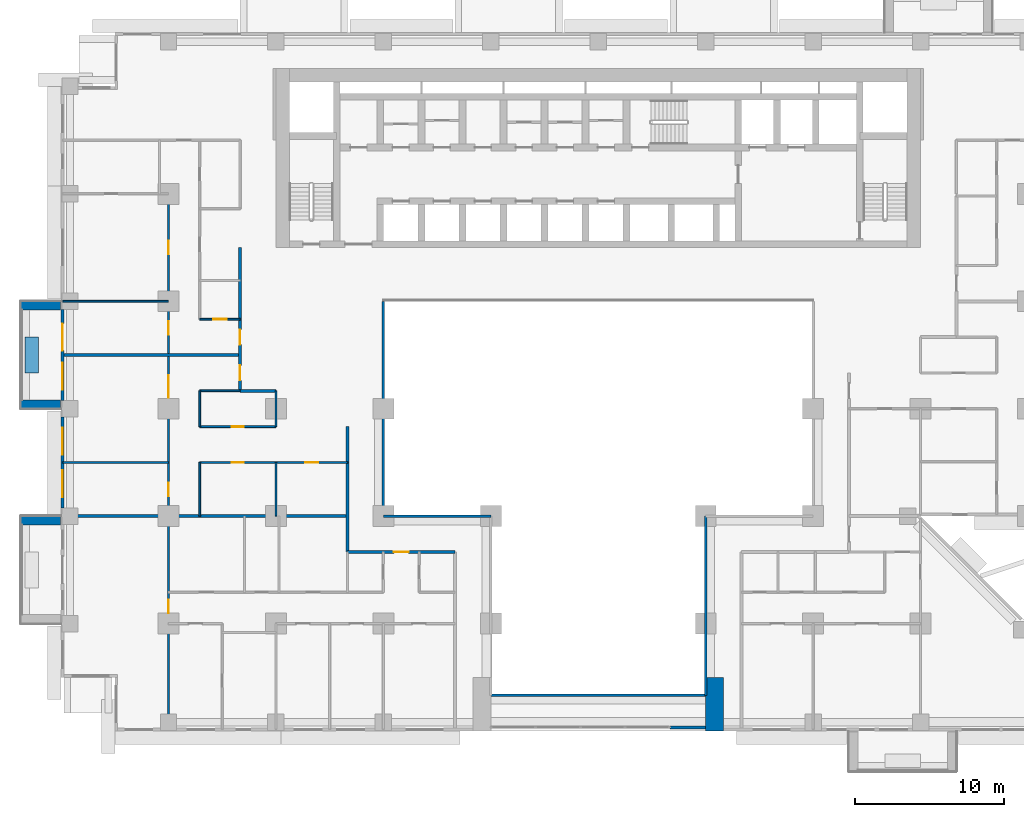
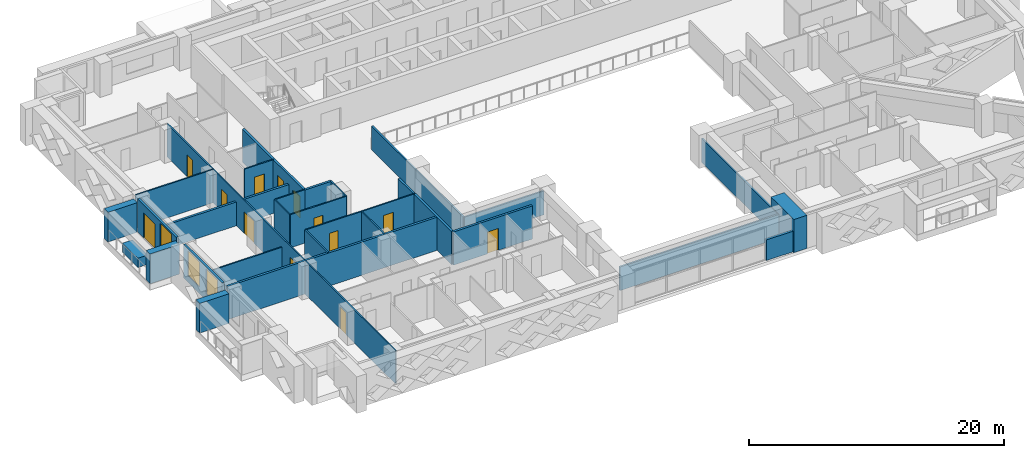
# One storey, part 7 of 16: 29 walls, 13 doors, 3 windows, 16 openings.
"""IFC4 building model written with IfcOpenShell, lengths in metres."""

from ifc_helpers import new_model, si_unit, direction, frame, frame_2d, origin, place, context, subcontext, project, spatial, rectangle, extrude, material, layer, layer_set, type_object, element, fill, save


model = new_model("IFC4")

# Units and contexts
model_context = context("Model", 3, precision=1e-05, world=origin(), true_north=direction((0.0, 1.0)))
body_context = subcontext(model_context, "Body", "Model", "MODEL_VIEW")
ifc_project = project(units=[si_unit("LENGTHUNIT", "METRE"), si_unit("AREAUNIT", "SQUARE_METRE"), si_unit("VOLUMEUNIT", "CUBIC_METRE"), si_unit("PLANEANGLEUNIT", "RADIAN"), si_unit("MASSUNIT", "GRAM", prefix="KILO")], contexts=[model_context])

# Site, building, storey
site_placement = place(None, origin())
site = spatial("IfcSite", under=ifc_project, at=site_placement, CompositionType="ELEMENT")
building_placement = place(site_placement, origin())
building = spatial("IfcBuilding", under=site, at=building_placement, Name="Saffron Iwan Residences", CompositionType="ELEMENT")
storey_placement = place(building_placement, frame((0.0, 0.0, 48.0)))
storey = spatial("IfcBuildingStorey", under=building, at=storey_placement, Name="L11", CompositionType="ELEMENT", Elevation=48.0)

# Walls
ifc_material_1 = material(Name="Fire-rated glazing", Category="glass")
ifc_layer_1 = layer(ifc_material_1, 0.14990234375)
ifc_layer_set_1 = layer_set([ifc_layer_1], Name="Fire-rated glazing")
wall_type_1 = type_object("IfcWallType", Name="Atrium glazed screen 150", PredefinedType="SOLIDWALL", material=ifc_layer_set_1)
wall_1_placement = place(storey_placement, frame((43.199951171875, 36.0, 0.0), z_axis=(0.0, 0.0, 1.0), x_axis=(1.0, 0.0, 0.0)))
element("IfcWall", 1, at=wall_1_placement, inside=storey, type_object=wall_type_1, Name="W-L11-SCREEN-h36-43.2", PredefinedType="SOLIDWALL", context=body_context, shape_type="SweptSolid", body=[
    extrude(rectangle(XDim=14.400146484375, YDim=0.14990234375, at=frame_2d((7.2001953125, 0.0))), origin(), (0.0, 0.0, 1.0), 2.280029296875),
])
wall_2_placement = place(storey_placement, frame((36.0, 48.0, 0.0), z_axis=(0.0, 0.0, 1.0), x_axis=(1.0, 0.0, 0.0)))
element("IfcWall", 2, at=wall_2_placement, inside=storey, type_object=wall_type_1, Name="W-L11-SCREEN-h48-36", PredefinedType="SOLIDWALL", context=body_context, shape_type="SweptSolid", body=[
    extrude(rectangle(XDim=7.199951171875, YDim=0.14990234375, at=frame_2d((3.60009765625, 0.0))), origin(), (0.0, 0.0, 1.0), 2.280029296875),
])
wall_3_placement = place(storey_placement, frame((36.0, 48.0, 0.0), z_axis=(0.0, 0.0, 1.0), x_axis=(0.0, 1.0, 0.0)))
element("IfcWall", 3, at=wall_3_placement, inside=storey, type_object=wall_type_1, Name="W-L11-SCREEN-v36-48", PredefinedType="SOLIDWALL", context=body_context, shape_type="SweptSolid", body=[
    extrude(rectangle(XDim=14.39990234375, YDim=0.14990234375, at=frame_2d((7.199951171875, 0.0))), origin(), (0.0, 0.0, 1.0), 2.280029296875),
])
wall_4_placement = place(storey_placement, frame((57.60009765625, 36.0, 0.0), z_axis=(0.0, 0.0, 1.0), x_axis=(0.0, 1.0, 0.0)))
element("IfcWall", 4, at=wall_4_placement, inside=storey, type_object=wall_type_1, Name="W-L11-SCREEN-v57.6-36", PredefinedType="SOLIDWALL", context=body_context, shape_type="SweptSolid", body=[
    extrude(rectangle(XDim=12.0, YDim=0.14990234375, at=frame_2d((6.0, 0.0))), origin(), (0.0, 0.0, 1.0), 2.280029296875),
])
ifc_material_2 = material(Name="Concrete C50/60 white painted", Category="concrete")
ifc_layer_2 = layer(ifc_material_2, 0.60009765625)
ifc_layer_set_2 = layer_set([ifc_layer_2], Name="Concrete C50/60 white painted")
wall_type_2 = type_object("IfcWallType", Name="BALCONY FIN 600", PredefinedType="SOLIDWALL", material=ifc_layer_set_2)
for number, where, z_axis, x_axis, name in (
    (5, (14.35009765625, 62.10009765625, 0.0), (0.0, 0.0, 1.0), (-1.0, 0.0, 0.0), "Balcony fin L11 F8-0a"),
    (6, (14.35009765625, 55.5, 0.0), (0.0, 0.0, 1.0), (-1.0, 0.0, 0.0), "Balcony fin L11 F8-0b"),
    (7, (14.35009765625, 47.699951171875, 0.0), (0.0, 0.0, 1.0), (-1.0, 0.0, 0.0), "Balcony fin L11 F8-1a"),
):
    element("IfcWall", number, at=place(storey_placement, frame(where, z_axis=z_axis, x_axis=x_axis)), inside=storey, type_object=wall_type_2, Name=name, PredefinedType="SOLIDWALL", context=body_context, shape_type="SweptSolid", body=[
        extrude(rectangle(XDim=2.650146484375, YDim=0.60009765625, at=frame_2d((1.3251953125, 0.0))), origin(), (0.0, 0.0, 1.0), 2.85009765625),
    ])
ifc_material_3 = material(Name="Concrete C35/45 white painted", Category="concrete")
ifc_layer_3 = layer(ifc_material_3, 0.14990234375)
ifc_layer_set_3 = layer_set([ifc_layer_3], Name="Concrete C35/45 white painted")
wall_type_3 = type_object("IfcWallType", Name="BALCONY PLANTER", PredefinedType="SOLIDWALL", material=ifc_layer_set_3)
wall_5_placement = place(storey_placement, frame((12.425048828125, 60.0, 0.0), z_axis=(0.0, 0.0, 1.0), x_axis=(0.0, -1.0, 0.0)))
element("IfcWall", 8, at=wall_5_placement, inside=storey, type_object=wall_type_3, Name="PLANTER L11 F8-0", PredefinedType="SOLIDWALL", context=body_context, shape_type="SweptSolid", body=[
    extrude(rectangle(XDim=2.39990234375, YDim=0.89990234375, at=frame_2d((1.199951171875, 0.0))), origin(), (0.0, 0.0, 1.0), 0.89990234375),
])

# Wall, openings, door, window
ifc_material_4 = material(Name="Concrete C40/50", Category="concrete")
ifc_layer_4 = layer(ifc_material_4, 0.199951171875)
ifc_layer_set_4 = layer_set([ifc_layer_4], Name="Concrete C40/50")
wall_type_4 = type_object("IfcWallType", Name="EXTERNAL WALL 200", PredefinedType="SOLIDWALL", material=ifc_layer_set_4)
wall_6_placement = place(storey_placement, frame((14.5, 61.85009765625, 0.0), z_axis=(0.0, 0.0, 1.0), x_axis=(0.0, -1.0, 0.0)))
wall_6 = element("IfcWall", 9, at=wall_6_placement, inside=storey, type_object=wall_type_4, Name="External wall L11 F8.2", PredefinedType="SOLIDWALL", context=body_context, shape_type="SweptSolid", body=[
    extrude(rectangle(XDim=6.10009765625, YDim=0.199951171875, at=frame_2d((3.050048828125, 0.0))), origin(), (0.0, 0.0, 1.0), 3.179931640625),
])
opening_1_placement = place(wall_6_placement, frame((0.949951171875, 0.0, 0.0)))
opening_1 = element("IfcOpeningElement", 10, at=opening_1_placement, cuts=wall_6, Name="Opening BD1", PredefinedType="OPENING", context=body_context, shape_type="SweptSolid", body=[
    extrude(rectangle(XDim=1.800048828125, YDim=2.39990234375, at=frame_2d((0.89990234375, 1.199951171875))), frame((0.0, 0.10986328125, 0.0), z_axis=(0.0, -1.0, 0.0), x_axis=(1.0, 0.0, 0.0)), (0.0, 0.0, 1.0), 0.219970703125),
])
opening_2_placement = place(wall_6_placement, frame((3.574951171875, 0.0, 0.60009765625)))
opening_2 = element("IfcOpeningElement", 11, at=opening_2_placement, cuts=wall_6, Name="Opening W8", PredefinedType="OPENING", context=body_context, shape_type="SweptSolid", body=[
    extrude(rectangle(XDim=1.800048828125, YDim=2.39990234375, at=frame_2d((0.89990234375, 1.199951171875))), frame((0.0, 0.10986328125, 0.0), z_axis=(0.0, -1.0, 0.0), x_axis=(1.0, 0.0, 0.0)), (0.0, 0.0, 1.0), 0.219970703125),
])
ifc_material_5 = material(Name="Clear glass, laminated double glazed", Category="glass")
door_type_1 = type_object("IfcDoorType", Name="BALCONY DOOR 1800 x 2400", OperationType="DOUBLE_DOOR_SLIDING", PredefinedType="DOOR", material=ifc_material_5)
door_1_placement = place(opening_1_placement, origin())
door_1 = element("IfcDoor", 12, at=door_1_placement, inside=storey, type_object=door_type_1, Name="Balcony door L11 F8.0", OperationType="DOUBLE_DOOR_SLIDING", OverallHeight=2.39990234375, OverallWidth=1.800048828125, PredefinedType="DOOR", context=body_context, shape_type="SweptSolid", body=[
    extrude(rectangle(XDim=1.800048828125, YDim=2.39990234375, at=frame_2d((0.89990234375, 1.199951171875))), frame((0.0, 0.02490234375, 0.0), z_axis=(0.0, -1.0, 0.0), x_axis=(1.0, 0.0, 0.0)), (0.0, 0.0, 1.0), 0.050048828125),
])
fill(opening_1, door_1)
window_type = type_object("IfcWindowType", Name="WINDOW 1800 x 2400", PartitioningType="DOUBLE_PANEL_VERTICAL", PredefinedType="WINDOW", material=ifc_material_5)
window_1_placement = place(opening_2_placement, origin())
window_1 = element("IfcWindow", 13, at=window_1_placement, inside=storey, type_object=window_type, Name="Window L11 F8.1", OverallHeight=2.39990234375, OverallWidth=1.800048828125, PartitioningType="DOUBLE_PANEL_VERTICAL", PredefinedType="WINDOW", context=body_context, shape_type="SweptSolid", body=[
    extrude(rectangle(XDim=1.800048828125, YDim=2.39990234375, at=frame_2d((0.89990234375, 1.199951171875))), frame((0.0, 0.030029296875, 0.0), z_axis=(0.0, -1.0, 0.0), x_axis=(1.0, 0.0, 0.0)), (0.0, 0.0, 1.0), 0.06005859375),
])
fill(opening_2, window_1)

# Wall, openings, windows
wall_7_placement = place(storey_placement, frame((14.5, 54.64990234375, 0.0), z_axis=(0.0, 0.0, 1.0), x_axis=(0.0, -1.0, 0.0)))
wall_7 = element("IfcWall", 14, at=wall_7_placement, inside=storey, type_object=wall_type_4, Name="External wall L11 F8.3", PredefinedType="SOLIDWALL", context=body_context, shape_type="SweptSolid", body=[
    extrude(rectangle(XDim=6.099853515625, YDim=0.199951171875, at=frame_2d((3.0498046875, 0.0))), origin(), (0.0, 0.0, 1.0), 3.179931640625),
])
opening_3_placement = place(wall_7_placement, frame((3.574951171875, 0.0, 0.60009765625)))
opening_3 = element("IfcOpeningElement", 15, at=opening_3_placement, cuts=wall_7, Name="Opening W8", PredefinedType="OPENING", context=body_context, shape_type="SweptSolid", body=[
    extrude(rectangle(XDim=1.800048828125, YDim=2.39990234375, at=frame_2d((0.89990234375, 1.199951171875))), frame((0.0, 0.10986328125, 0.0), z_axis=(0.0, -1.0, 0.0), x_axis=(1.0, 0.0, 0.0)), (0.0, 0.0, 1.0), 0.219970703125),
])
opening_4_placement = place(wall_7_placement, frame((0.72509765625, 0.0, 0.60009765625)))
opening_4 = element("IfcOpeningElement", 16, at=opening_4_placement, cuts=wall_7, Name="Opening W8", PredefinedType="OPENING", context=body_context, shape_type="SweptSolid", body=[
    extrude(rectangle(XDim=1.800048828125, YDim=2.39990234375, at=frame_2d((0.89990234375, 1.199951171875))), frame((0.0, 0.10986328125, 0.0), z_axis=(0.0, -1.0, 0.0), x_axis=(1.0, 0.0, 0.0)), (0.0, 0.0, 1.0), 0.219970703125),
])
window_2_placement = place(opening_3_placement, origin())
window_2 = element("IfcWindow", 17, at=window_2_placement, inside=storey, type_object=window_type, Name="Window L11 F8.0", OverallHeight=2.39990234375, OverallWidth=1.800048828125, PartitioningType="DOUBLE_PANEL_VERTICAL", PredefinedType="WINDOW", context=body_context, shape_type="SweptSolid", body=[
    extrude(rectangle(XDim=1.800048828125, YDim=2.39990234375, at=frame_2d((0.89990234375, 1.199951171875))), frame((0.0, 0.030029296875, 0.0), z_axis=(0.0, -1.0, 0.0), x_axis=(1.0, 0.0, 0.0)), (0.0, 0.0, 1.0), 0.06005859375),
])
fill(opening_3, window_2)
window_3_placement = place(opening_4_placement, origin())
window_3 = element("IfcWindow", 18, at=window_3_placement, inside=storey, type_object=window_type, Name="Window L11 F8.1", OverallHeight=2.39990234375, OverallWidth=1.800048828125, PartitioningType="DOUBLE_PANEL_VERTICAL", PredefinedType="WINDOW", context=body_context, shape_type="SweptSolid", body=[
    extrude(rectangle(XDim=1.800048828125, YDim=2.39990234375, at=frame_2d((0.89990234375, 1.199951171875))), frame((0.0, 0.030029296875, 0.0), z_axis=(0.0, -1.0, 0.0), x_axis=(1.0, 0.0, 0.0)), (0.0, 0.0, 1.0), 0.06005859375),
])
fill(opening_4, window_3)

# Walls
wall_8_placement = place(storey_placement, frame((55.199951171875, 33.85009765625, 0.0), z_axis=(0.0, 0.0, 1.0), x_axis=(1.0, 0.0, 0.0)))
element("IfcWall", 19, at=wall_8_placement, inside=storey, type_object=wall_type_4, Name="External wall infill CWB-L11-0", PredefinedType="SOLIDWALL", context=body_context, shape_type="SweptSolid", body=[
    extrude(rectangle(XDim=2.400146484375, YDim=0.199951171875, at=frame_2d((1.2001953125, 0.0))), origin(), (0.0, 0.0, 1.0), 1.97998046875),
])
ifc_material_6 = material(Name="Fire-rated gypsum board wall")
ifc_layer_5 = layer(ifc_material_6, 0.199951171875)
ifc_layer_set_5 = layer_set([ifc_layer_5], Name="Fire-rated gypsum board wall")
wall_type_5 = type_object("IfcWallType", Name="Flat demising wall 200", PredefinedType="SOLIDWALL", material=ifc_layer_set_5)
wall_9_placement = place(storey_placement, frame((14.52490234375, 48.0, 0.0), z_axis=(0.0, 0.0, 1.0), x_axis=(1.0, 0.0, 0.0)))
element("IfcWall", 20, at=wall_9_placement, inside=storey, type_object=wall_type_5, Name="W-L11-DEMISE-h48-14.525", PredefinedType="SOLIDWALL", context=body_context, shape_type="SweptSolid", body=[
    extrude(rectangle(XDim=19.0751953125, YDim=0.199951171875, at=frame_2d((9.53759765625, 0.0))), origin(), (0.0, 0.0, 1.0), 3.179931640625),
])
wall_10_placement = place(storey_placement, frame((14.52490234375, 58.800048828125, 0.0), z_axis=(0.0, 0.0, 1.0), x_axis=(1.0, 0.0, 0.0)))
element("IfcWall", 21, at=wall_10_placement, inside=storey, type_object=wall_type_5, Name="W-L11-DEMISE-h58.8-14.525", PredefinedType="SOLIDWALL", context=body_context, shape_type="SweptSolid", body=[
    extrude(rectangle(XDim=11.875, YDim=0.199951171875, at=frame_2d((5.9375, 0.0))), origin(), (0.0, 0.0, 1.0), 2.280029296875),
])
ifc_material_7 = material(Name="Gypsum board partition")
ifc_layer_6 = layer(ifc_material_7, 0.1201171875)
ifc_layer_set_6 = layer_set([ifc_layer_6], Name="Gypsum board partition")
wall_type_6 = type_object("IfcWallType", Name="Flat partition 120", PredefinedType="PARTITIONING", material=ifc_layer_set_6)
wall_11_placement = place(storey_placement, frame((14.52490234375, 51.60009765625, 0.0), z_axis=(0.0, 0.0, 1.0), x_axis=(1.0, 0.0, 0.0)))
element("IfcWall", 22, at=wall_11_placement, inside=storey, type_object=wall_type_6, Name="W-L11-PART-h51.6-14.525", PredefinedType="PARTITIONING", context=body_context, shape_type="SweptSolid", body=[
    extrude(rectangle(XDim=7.0751953125, YDim=0.1201171875, at=frame_2d((3.53759765625, 0.0))), origin(), (0.0, 0.0, 1.0), 2.280029296875),
])

# Wall, openings, doors
wall_12_placement = place(storey_placement, frame((23.699951171875, 51.60009765625, 0.0), z_axis=(0.0, 0.0, 1.0), x_axis=(1.0, 0.0, 0.0)))
wall_12 = element("IfcWall", 23, at=wall_12_placement, inside=storey, type_object=wall_type_6, Name="W-L11-PART-h51.6-23.7", PredefinedType="PARTITIONING", context=body_context, shape_type="SweptSolid", body=[
    extrude(rectangle(XDim=9.900146484375, YDim=0.1201171875, at=frame_2d((4.9501953125, 0.0))), origin(), (0.0, 0.0, 1.0), 3.179931640625),
])
opening_5_placement = place(wall_12_placement, frame((2.14990234375, 0.0, 0.0)))
opening_5 = element("IfcOpeningElement", 24, at=opening_5_placement, cuts=wall_12, Name="Opening FD3", PredefinedType="OPENING", context=body_context, shape_type="SweptSolid", body=[
    extrude(rectangle(XDim=0.800048828125, YDim=2.10009765625, at=frame_2d((0.39990234375, 1.050048828125))), frame((0.0, 0.070068359375, 0.0), z_axis=(0.0, -1.0, 0.0), x_axis=(1.0, 0.0, 0.0)), (0.0, 0.0, 1.0), 0.14013671875),
])
opening_6_placement = place(wall_12_placement, frame((7.050048828125, 0.0, 0.0)))
opening_6 = element("IfcOpeningElement", 25, at=opening_6_placement, cuts=wall_12, Name="Opening FD2", PredefinedType="OPENING", context=body_context, shape_type="SweptSolid", body=[
    extrude(rectangle(XDim=0.89990234375, YDim=2.10009765625, at=frame_2d((0.449951171875, 1.050048828125))), frame((0.0, 0.070068359375, 0.0), z_axis=(0.0, -1.0, 0.0), x_axis=(1.0, 0.0, 0.0)), (0.0, 0.0, 1.0), 0.14013671875),
])
ifc_material_8 = material(Name="Timber door", Category="wood")
door_type_2 = type_object("IfcDoorType", Name="Bathroom door 800", OperationType="NOTDEFINED", PredefinedType="DOOR", material=ifc_material_8)
door_2_placement = place(opening_5_placement, origin())
door_2 = element("IfcDoor", 26, at=door_2_placement, inside=storey, type_object=door_type_2, Name="Door L11-016", OperationType="SINGLE_SWING_LEFT", OverallHeight=2.10009765625, OverallWidth=0.800048828125, PredefinedType="DOOR", context=body_context, shape_type="SweptSolid", body=[
    extrude(rectangle(XDim=0.800048828125, YDim=2.10009765625, at=frame_2d((0.39990234375, 1.050048828125))), frame((0.0, 0.02490234375, 0.0), z_axis=(0.0, -1.0, 0.0), x_axis=(1.0, 0.0, 0.0)), (0.0, 0.0, 1.0), 0.050048828125),
])
fill(opening_5, door_2)
door_type_3 = type_object("IfcDoorType", Name="Flat door 900", OperationType="NOTDEFINED", PredefinedType="DOOR", material=ifc_material_8)
door_3_placement = place(opening_6_placement, origin())
door_3 = element("IfcDoor", 27, at=door_3_placement, inside=storey, type_object=door_type_3, Name="Door L11-018", OperationType="SINGLE_SWING_LEFT", OverallHeight=2.10009765625, OverallWidth=0.89990234375, PredefinedType="DOOR", context=body_context, shape_type="SweptSolid", body=[
    extrude(rectangle(XDim=0.89990234375, YDim=2.10009765625, at=frame_2d((0.449951171875, 1.050048828125))), frame((0.0, 0.02490234375, 0.0), z_axis=(0.0, -1.0, 0.0), x_axis=(1.0, 0.0, 0.0)), (0.0, 0.0, 1.0), 0.050048828125),
])
fill(opening_6, door_3)

# Wall, opening, door
wall_13_placement = place(storey_placement, frame((23.699951171875, 54.0, 0.0), z_axis=(0.0, 0.0, 1.0), x_axis=(1.0, 0.0, 0.0)))
wall_13 = element("IfcWall", 28, at=wall_13_placement, inside=storey, type_object=wall_type_6, Name="W-L11-PART-h54-23.7", PredefinedType="PARTITIONING", context=body_context, shape_type="SweptSolid", body=[
    extrude(rectangle(XDim=5.10009765625, YDim=0.1201171875, at=frame_2d((2.550048828125, 0.0))), origin(), (0.0, 0.0, 1.0), 3.179931640625),
])
opening_7_placement = place(wall_13_placement, frame((2.14990234375, 0.0, 0.0)))
opening_7 = element("IfcOpeningElement", 29, at=opening_7_placement, cuts=wall_13, Name="Opening FD3", PredefinedType="OPENING", context=body_context, shape_type="SweptSolid", body=[
    extrude(rectangle(XDim=0.800048828125, YDim=2.10009765625, at=frame_2d((0.39990234375, 1.050048828125))), frame((0.0, 0.070068359375, 0.0), z_axis=(0.0, -1.0, 0.0), x_axis=(1.0, 0.0, 0.0)), (0.0, 0.0, 1.0), 0.14013671875),
])
door_4_placement = place(opening_7_placement, origin())
door_4 = element("IfcDoor", 30, at=door_4_placement, inside=storey, type_object=door_type_2, Name="Door L11-017", OperationType="SINGLE_SWING_RIGHT", OverallHeight=2.10009765625, OverallWidth=0.800048828125, PredefinedType="DOOR", context=body_context, shape_type="SweptSolid", body=[
    extrude(rectangle(XDim=0.800048828125, YDim=2.10009765625, at=frame_2d((0.39990234375, 1.050048828125))), frame((0.0, 0.02490234375, 0.0), z_axis=(0.0, -1.0, 0.0), x_axis=(1.0, 0.0, 0.0)), (0.0, 0.0, 1.0), 0.050048828125),
])
fill(opening_7, door_4)

# Wall
wall_14_placement = place(storey_placement, frame((23.699951171875, 56.39990234375, 0.0), z_axis=(0.0, 0.0, 1.0), x_axis=(1.0, 0.0, 0.0)))
element("IfcWall", 31, at=wall_14_placement, inside=storey, type_object=wall_type_6, Name="W-L11-PART-h56.4-23.7", PredefinedType="PARTITIONING", context=body_context, shape_type="SweptSolid", body=[
    extrude(rectangle(XDim=2.699951171875, YDim=0.1201171875, at=frame_2d((1.35009765625, 0.0))), origin(), (0.0, 0.0, 1.0), 3.179931640625),
])

# Wall, opening, door
wall_15_placement = place(storey_placement, frame((23.699951171875, 61.199951171875, 0.0), z_axis=(0.0, 0.0, 1.0), x_axis=(1.0, 0.0, 0.0)))
wall_15 = element("IfcWall", 32, at=wall_15_placement, inside=storey, type_object=wall_type_6, Name="W-L11-PART-h61.2-23.7", PredefinedType="PARTITIONING", context=body_context, shape_type="SweptSolid", body=[
    extrude(rectangle(XDim=2.699951171875, YDim=0.1201171875, at=frame_2d((1.35009765625, 0.0))), origin(), (0.0, 0.0, 1.0), 3.179931640625),
])
opening_8_placement = place(wall_15_placement, frame((0.89990234375, 0.0, 0.0)))
opening_8 = element("IfcOpeningElement", 33, at=opening_8_placement, cuts=wall_15, Name="Opening FD2", PredefinedType="OPENING", context=body_context, shape_type="SweptSolid", body=[
    extrude(rectangle(XDim=0.89990234375, YDim=2.10009765625, at=frame_2d((0.449951171875, 1.050048828125))), frame((0.0, 0.070068359375, 0.0), z_axis=(0.0, -1.0, 0.0), x_axis=(1.0, 0.0, 0.0)), (0.0, 0.0, 1.0), 0.14013671875),
])
door_5_placement = place(opening_8_placement, origin())
door_5 = element("IfcDoor", 34, at=door_5_placement, inside=storey, type_object=door_type_3, Name="Door L11-032", OperationType="SINGLE_SWING_RIGHT", OverallHeight=2.10009765625, OverallWidth=0.89990234375, PredefinedType="DOOR", context=body_context, shape_type="SweptSolid", body=[
    extrude(rectangle(XDim=0.89990234375, YDim=2.10009765625, at=frame_2d((0.449951171875, 1.050048828125))), frame((0.0, 0.02490234375, 0.0), z_axis=(0.0, -1.0, 0.0), x_axis=(1.0, 0.0, 0.0)), (0.0, 0.0, 1.0), 0.050048828125),
])
fill(opening_8, door_5)

# Wall
wall_16_placement = place(storey_placement, frame((14.52490234375, 62.39990234375, 0.0), z_axis=(0.0, 0.0, 1.0), x_axis=(1.0, 0.0, 0.0)))
element("IfcWall", 35, at=wall_16_placement, inside=storey, type_object=wall_type_6, Name="W-L11-PART-h62.4-14.525", PredefinedType="PARTITIONING", context=body_context, shape_type="SweptSolid", body=[
    extrude(rectangle(XDim=7.0751953125, YDim=0.1201171875, at=frame_2d((3.53759765625, 0.0))), origin(), (0.0, 0.0, 1.0), 3.179931640625),
])

# Wall, openings, doors
wall_17_placement = place(storey_placement, frame((21.60009765625, 33.72509765625, 0.0), z_axis=(0.0, 0.0, 1.0), x_axis=(0.0, 1.0, 0.0)))
wall_17 = element("IfcWall", 36, at=wall_17_placement, inside=storey, type_object=wall_type_6, Name="W-L11-PART-v21.6-33.725", PredefinedType="PARTITIONING", context=body_context, shape_type="SweptSolid", body=[
    extrude(rectangle(XDim=35.875, YDim=0.1201171875, at=frame_2d((17.9375, 0.0))), origin(), (0.0, 0.0, 1.0), 3.179931640625),
])
opening_9_placement = place(wall_17_placement, frame((7.77490234375, 0.0, 0.0)))
opening_9 = element("IfcOpeningElement", 37, at=opening_9_placement, cuts=wall_17, Name="Opening FD2", PredefinedType="OPENING", context=body_context, shape_type="SweptSolid", body=[
    extrude(rectangle(XDim=0.89990234375, YDim=2.10009765625, at=frame_2d((0.449951171875, 1.050048828125))), frame((0.0, 0.070068359375, 0.0), z_axis=(0.0, -1.0, 0.0), x_axis=(1.0, 0.0, 0.0)), (0.0, 0.0, 1.0), 0.14013671875),
])
opening_10_placement = place(wall_17_placement, frame((15.625, 0.0, 0.0)))
opening_10 = element("IfcOpeningElement", 38, at=opening_10_placement, cuts=wall_17, Name="Opening FD2", PredefinedType="OPENING", context=body_context, shape_type="SweptSolid", body=[
    extrude(rectangle(XDim=0.89990234375, YDim=2.10009765625, at=frame_2d((0.449951171875, 1.050048828125))), frame((0.0, 0.070068359375, 0.0), z_axis=(0.0, -1.0, 0.0), x_axis=(1.0, 0.0, 0.0)), (0.0, 0.0, 1.0), 0.14013671875),
])
opening_11_placement = place(wall_17_placement, frame((22.22509765625, 0.0, 0.0)))
opening_11 = element("IfcOpeningElement", 39, at=opening_11_placement, cuts=wall_17, Name="Opening FD4", PredefinedType="OPENING", context=body_context, shape_type="SweptSolid", body=[
    extrude(rectangle(XDim=1.5, YDim=2.10009765625, at=frame_2d((0.75, 1.050048828125))), frame((0.0, 0.070068359375, 0.0), z_axis=(0.0, -1.0, 0.0), x_axis=(1.0, 0.0, 0.0)), (0.0, 0.0, 1.0), 0.14013671875),
])
opening_12_placement = place(wall_17_placement, frame((26.425048828125, 0.0, 0.0)))
opening_12 = element("IfcOpeningElement", 40, at=opening_12_placement, cuts=wall_17, Name="Opening FD2", PredefinedType="OPENING", context=body_context, shape_type="SweptSolid", body=[
    extrude(rectangle(XDim=0.89990234375, YDim=2.10009765625, at=frame_2d((0.449951171875, 1.050048828125))), frame((0.0, 0.070068359375, 0.0), z_axis=(0.0, -1.0, 0.0), x_axis=(1.0, 0.0, 0.0)), (0.0, 0.0, 1.0), 0.14013671875),
])
opening_13_placement = place(wall_17_placement, frame((31.824951171875, 0.0, 0.0)))
opening_13 = element("IfcOpeningElement", 41, at=opening_13_placement, cuts=wall_17, Name="Opening FD2", PredefinedType="OPENING", context=body_context, shape_type="SweptSolid", body=[
    extrude(rectangle(XDim=0.89990234375, YDim=2.10009765625, at=frame_2d((0.449951171875, 1.050048828125))), frame((0.0, 0.070068359375, 0.0), z_axis=(0.0, -1.0, 0.0), x_axis=(1.0, 0.0, 0.0)), (0.0, 0.0, 1.0), 0.14013671875),
])
door_type_4 = type_object("IfcDoorType", Name="Double door 1500", OperationType="NOTDEFINED", PredefinedType="DOOR", material=ifc_material_8)
door_6_placement = place(opening_11_placement, origin())
door_6 = element("IfcDoor", 42, at=door_6_placement, inside=storey, type_object=door_type_4, Name="Door L11-015", OperationType="SINGLE_SWING_RIGHT", OverallHeight=2.10009765625, OverallWidth=1.5, PredefinedType="DOOR", context=body_context, shape_type="SweptSolid", body=[
    extrude(rectangle(XDim=1.5, YDim=2.10009765625, at=frame_2d((0.75, 1.050048828125))), frame((0.0, 0.02490234375, 0.0), z_axis=(0.0, -1.0, 0.0), x_axis=(1.0, 0.0, 0.0)), (0.0, 0.0, 1.0), 0.050048828125),
])
fill(opening_11, door_6)
door_7_placement = place(opening_9_placement, origin())
door_7 = element("IfcDoor", 43, at=door_7_placement, inside=storey, type_object=door_type_3, Name="Door L11-002", OperationType="SINGLE_SWING_LEFT", OverallHeight=2.10009765625, OverallWidth=0.89990234375, PredefinedType="DOOR", context=body_context, shape_type="SweptSolid", body=[
    extrude(rectangle(XDim=0.89990234375, YDim=2.10009765625, at=frame_2d((0.449951171875, 1.050048828125))), frame((0.0, 0.02490234375, 0.0), z_axis=(0.0, -1.0, 0.0), x_axis=(1.0, 0.0, 0.0)), (0.0, 0.0, 1.0), 0.050048828125),
])
fill(opening_9, door_7)
door_8_placement = place(opening_10_placement, origin())
door_8 = element("IfcDoor", 44, at=door_8_placement, inside=storey, type_object=door_type_3, Name="Door L11-014", OperationType="SINGLE_SWING_RIGHT", OverallHeight=2.10009765625, OverallWidth=0.89990234375, PredefinedType="DOOR", context=body_context, shape_type="SweptSolid", body=[
    extrude(rectangle(XDim=0.89990234375, YDim=2.10009765625, at=frame_2d((0.449951171875, 1.050048828125))), frame((0.0, 0.02490234375, 0.0), z_axis=(0.0, -1.0, 0.0), x_axis=(1.0, 0.0, 0.0)), (0.0, 0.0, 1.0), 0.050048828125),
])
fill(opening_10, door_8)
door_9_placement = place(opening_12_placement, origin())
door_9 = element("IfcDoor", 45, at=door_9_placement, inside=storey, type_object=door_type_3, Name="Door L11-028", OperationType="SINGLE_SWING_LEFT", OverallHeight=2.10009765625, OverallWidth=0.89990234375, PredefinedType="DOOR", context=body_context, shape_type="SweptSolid", body=[
    extrude(rectangle(XDim=0.89990234375, YDim=2.10009765625, at=frame_2d((0.449951171875, 1.050048828125))), frame((0.0, 0.02490234375, 0.0), z_axis=(0.0, -1.0, 0.0), x_axis=(1.0, 0.0, 0.0)), (0.0, 0.0, 1.0), 0.050048828125),
])
fill(opening_12, door_9)
door_10_placement = place(opening_13_placement, origin())
door_10 = element("IfcDoor", 46, at=door_10_placement, inside=storey, type_object=door_type_3, Name="Door L11-029", OperationType="SINGLE_SWING_RIGHT", OverallHeight=2.10009765625, OverallWidth=0.89990234375, PredefinedType="DOOR", context=body_context, shape_type="SweptSolid", body=[
    extrude(rectangle(XDim=0.89990234375, YDim=2.10009765625, at=frame_2d((0.449951171875, 1.050048828125))), frame((0.0, 0.02490234375, 0.0), z_axis=(0.0, -1.0, 0.0), x_axis=(1.0, 0.0, 0.0)), (0.0, 0.0, 1.0), 0.050048828125),
])
fill(opening_13, door_10)

# Walls
wall_18_placement = place(storey_placement, frame((23.699951171875, 48.0, 0.0), z_axis=(0.0, 0.0, 1.0), x_axis=(0.0, 1.0, 0.0)))
element("IfcWall", 47, at=wall_18_placement, inside=storey, type_object=wall_type_6, Name="W-L11-PART-v23.7-48", PredefinedType="PARTITIONING", context=body_context, shape_type="SweptSolid", body=[
    extrude(rectangle(XDim=3.60009765625, YDim=0.1201171875, at=frame_2d((1.800048828125, 0.0))), origin(), (0.0, 0.0, 1.0), 3.179931640625),
])
wall_19_placement = place(storey_placement, frame((23.699951171875, 54.0, 0.0), z_axis=(0.0, 0.0, 1.0), x_axis=(0.0, 1.0, 0.0)))
element("IfcWall", 48, at=wall_19_placement, inside=storey, type_object=wall_type_6, Name="W-L11-PART-v23.7-54", PredefinedType="PARTITIONING", context=body_context, shape_type="SweptSolid", body=[
    extrude(rectangle(XDim=2.39990234375, YDim=0.1201171875, at=frame_2d((1.199951171875, 0.0))), origin(), (0.0, 0.0, 1.0), 3.179931640625),
])
wall_20_placement = place(storey_placement, frame((28.800048828125, 48.0, 0.0), z_axis=(0.0, 0.0, 1.0), x_axis=(0.0, 1.0, 0.0)))
element("IfcWall", 49, at=wall_20_placement, inside=storey, type_object=wall_type_6, Name="W-L11-PART-v28.8-48", PredefinedType="PARTITIONING", context=body_context, shape_type="SweptSolid", body=[
    extrude(rectangle(XDim=3.60009765625, YDim=0.1201171875, at=frame_2d((1.800048828125, 0.0))), origin(), (0.0, 0.0, 1.0), 3.179931640625),
])
wall_21_placement = place(storey_placement, frame((28.800048828125, 54.0, 0.0), z_axis=(0.0, 0.0, 1.0), x_axis=(0.0, 1.0, 0.0)))
element("IfcWall", 50, at=wall_21_placement, inside=storey, type_object=wall_type_6, Name="W-L11-PART-v28.8-54", PredefinedType="PARTITIONING", context=body_context, shape_type="SweptSolid", body=[
    extrude(rectangle(XDim=2.39990234375, YDim=0.1201171875, at=frame_2d((1.199951171875, 0.0))), origin(), (0.0, 0.0, 1.0), 3.179931640625),
])

# Wall, opening, door
ifc_layer_7 = layer(ifc_material_6, 0.199951171875)
ifc_layer_set_7 = layer_set([ifc_layer_7], Name="Fire-rated gypsum board wall")
wall_type_7 = type_object("IfcWallType", Name="Gallery wall 200", PredefinedType="SOLIDWALL", material=ifc_layer_set_7)
wall_22_placement = place(storey_placement, frame((33.60009765625, 45.60009765625, 0.0), z_axis=(0.0, 0.0, 1.0), x_axis=(1.0, 0.0, 0.0)))
wall_22 = element("IfcWall", 51, at=wall_22_placement, inside=storey, type_object=wall_type_7, Name="W-L11-CORR-h45.6-33.6", PredefinedType="SOLIDWALL", context=body_context, shape_type="SweptSolid", body=[
    extrude(rectangle(XDim=7.199951171875, YDim=0.199951171875, at=frame_2d((3.60009765625, 0.0))), origin(), (0.0, 0.0, 1.0), 3.179931640625),
])
opening_14_placement = place(wall_22_placement, frame((3.10009765625, 0.0, 0.0)))
opening_14 = element("IfcOpeningElement", 52, at=opening_14_placement, cuts=wall_22, Name="Opening FD1", PredefinedType="OPENING", context=body_context, shape_type="SweptSolid", body=[
    extrude(rectangle(XDim=1.0, YDim=2.10009765625, at=frame_2d((0.5, 1.050048828125))), frame((0.0, 0.10986328125, 0.0), z_axis=(0.0, -1.0, 0.0), x_axis=(1.0, 0.0, 0.0)), (0.0, 0.0, 1.0), 0.219970703125),
])
ifc_material_9 = material(Name="Fire-rated timber door", Category="wood")
door_type_5 = type_object("IfcDoorType", Name="FD30S flat entrance door 1000", OperationType="NOTDEFINED", PredefinedType="DOOR", material=ifc_material_9)
door_11_placement = place(opening_14_placement, origin())
door_11 = element("IfcDoor", 53, at=door_11_placement, inside=storey, type_object=door_type_5, Name="Door L11-001", OperationType="SINGLE_SWING_LEFT", OverallHeight=2.10009765625, OverallWidth=1.0, PredefinedType="DOOR", context=body_context, shape_type="SweptSolid", body=[
    extrude(rectangle(XDim=1.0, YDim=2.10009765625, at=frame_2d((0.5, 1.050048828125))), frame((0.0, 0.02490234375, 0.0), z_axis=(0.0, -1.0, 0.0), x_axis=(1.0, 0.0, 0.0)), (0.0, 0.0, 1.0), 0.050048828125),
])
fill(opening_14, door_11)

# Wall
wall_23_placement = place(storey_placement, frame((26.39990234375, 56.39990234375, 0.0), z_axis=(0.0, 0.0, 1.0), x_axis=(1.0, 0.0, 0.0)))
element("IfcWall", 54, at=wall_23_placement, inside=storey, type_object=wall_type_7, Name="W-L11-CORR-h56.4-26.4", PredefinedType="SOLIDWALL", context=body_context, shape_type="SweptSolid", body=[
    extrude(rectangle(XDim=2.400146484375, YDim=0.199951171875, at=frame_2d((1.2001953125, 0.0))), origin(), (0.0, 0.0, 1.0), 3.179931640625),
])

# Wall, openings, doors
wall_24_placement = place(storey_placement, frame((26.39990234375, 56.39990234375, 0.0), z_axis=(0.0, 0.0, 1.0), x_axis=(0.0, 1.0, 0.0)))
wall_24 = element("IfcWall", 55, at=wall_24_placement, inside=storey, type_object=wall_type_7, Name="W-L11-CORR-v26.4-56.4", PredefinedType="SOLIDWALL", context=body_context, shape_type="SweptSolid", body=[
    extrude(rectangle(XDim=9.60009765625, YDim=0.199951171875, at=frame_2d((4.800048828125, 0.0))), origin(), (0.0, 0.0, 1.0), 3.179931640625),
])
opening_15_placement = place(wall_24_placement, frame((0.699951171875, 0.0, 0.0)))
opening_15 = element("IfcOpeningElement", 56, at=opening_15_placement, cuts=wall_24, Name="Opening FD1", PredefinedType="OPENING", context=body_context, shape_type="SweptSolid", body=[
    extrude(rectangle(XDim=1.0, YDim=2.10009765625, at=frame_2d((0.5, 1.050048828125))), frame((0.0, 0.10986328125, 0.0), z_axis=(0.0, -1.0, 0.0), x_axis=(1.0, 0.0, 0.0)), (0.0, 0.0, 1.0), 0.219970703125),
])
opening_16_placement = place(wall_24_placement, frame((3.10009765625, 0.0, 0.0)))
opening_16 = element("IfcOpeningElement", 57, at=opening_16_placement, cuts=wall_24, Name="Opening FD1", PredefinedType="OPENING", context=body_context, shape_type="SweptSolid", body=[
    extrude(rectangle(XDim=1.0, YDim=2.10009765625, at=frame_2d((0.5, 1.050048828125))), frame((0.0, 0.10986328125, 0.0), z_axis=(0.0, -1.0, 0.0), x_axis=(1.0, 0.0, 0.0)), (0.0, 0.0, 1.0), 0.219970703125),
])
door_12_placement = place(opening_15_placement, origin())
door_12 = element("IfcDoor", 58, at=door_12_placement, inside=storey, type_object=door_type_5, Name="Door L11-013", OperationType="SINGLE_SWING_LEFT", OverallHeight=2.10009765625, OverallWidth=1.0, PredefinedType="DOOR", context=body_context, shape_type="SweptSolid", body=[
    extrude(rectangle(XDim=1.0, YDim=2.10009765625, at=frame_2d((0.5, 1.050048828125))), frame((0.0, 0.02490234375, 0.0), z_axis=(0.0, -1.0, 0.0), x_axis=(1.0, 0.0, 0.0)), (0.0, 0.0, 1.0), 0.050048828125),
])
fill(opening_15, door_12)
door_13_placement = place(opening_16_placement, origin())
door_13 = element("IfcDoor", 59, at=door_13_placement, inside=storey, type_object=door_type_5, Name="Door L11-027", OperationType="SINGLE_SWING_LEFT", OverallHeight=2.10009765625, OverallWidth=1.0, PredefinedType="DOOR", context=body_context, shape_type="SweptSolid", body=[
    extrude(rectangle(XDim=1.0, YDim=2.10009765625, at=frame_2d((0.5, 1.050048828125))), frame((0.0, 0.02490234375, 0.0), z_axis=(0.0, -1.0, 0.0), x_axis=(1.0, 0.0, 0.0)), (0.0, 0.0, 1.0), 0.050048828125),
])
fill(opening_16, door_13)

# Walls
wall_25_placement = place(storey_placement, frame((33.60009765625, 45.60009765625, 0.0), z_axis=(0.0, 0.0, 1.0), x_axis=(0.0, 1.0, 0.0)))
element("IfcWall", 60, at=wall_25_placement, inside=storey, type_object=wall_type_7, Name="W-L11-CORR-v33.6-45.6", PredefinedType="SOLIDWALL", context=body_context, shape_type="SweptSolid", body=[
    extrude(rectangle(XDim=8.39990234375, YDim=0.199951171875, at=frame_2d((4.199951171875, 0.0))), origin(), (0.0, 0.0, 1.0), 3.179931640625),
])
ifc_material_10 = material(Name="Concrete C60/75", Category="concrete")
ifc_layer_8 = layer(ifc_material_10, 1.199951171875)
ifc_layer_set_8 = layer_set([ifc_layer_8], Name="Concrete C60/75")
wall_type_8 = type_object("IfcWallType", Name="WALL IWAN PIER 1200 C60/75 3180 HIGH", PredefinedType="SHEAR", material=ifc_layer_set_8)
wall_26_placement = place(storey_placement, frame((58.199951171875, 33.60009765625, 0.0), z_axis=(0.0, 0.0, 1.0), x_axis=(0.0, 1.0, 0.0)))
element("IfcWall", 61, at=wall_26_placement, inside=storey, type_object=wall_type_8, Name="IWAN PIER", PredefinedType="SHEAR", context=body_context, shape_type="SweptSolid", body=[
    extrude(rectangle(XDim=3.599853515625, YDim=1.199951171875, at=frame_2d((1.7998046875, 0.0))), origin(), (0.0, 0.0, 1.0), 3.179931640625),
])

save(model, "model.ifc")
